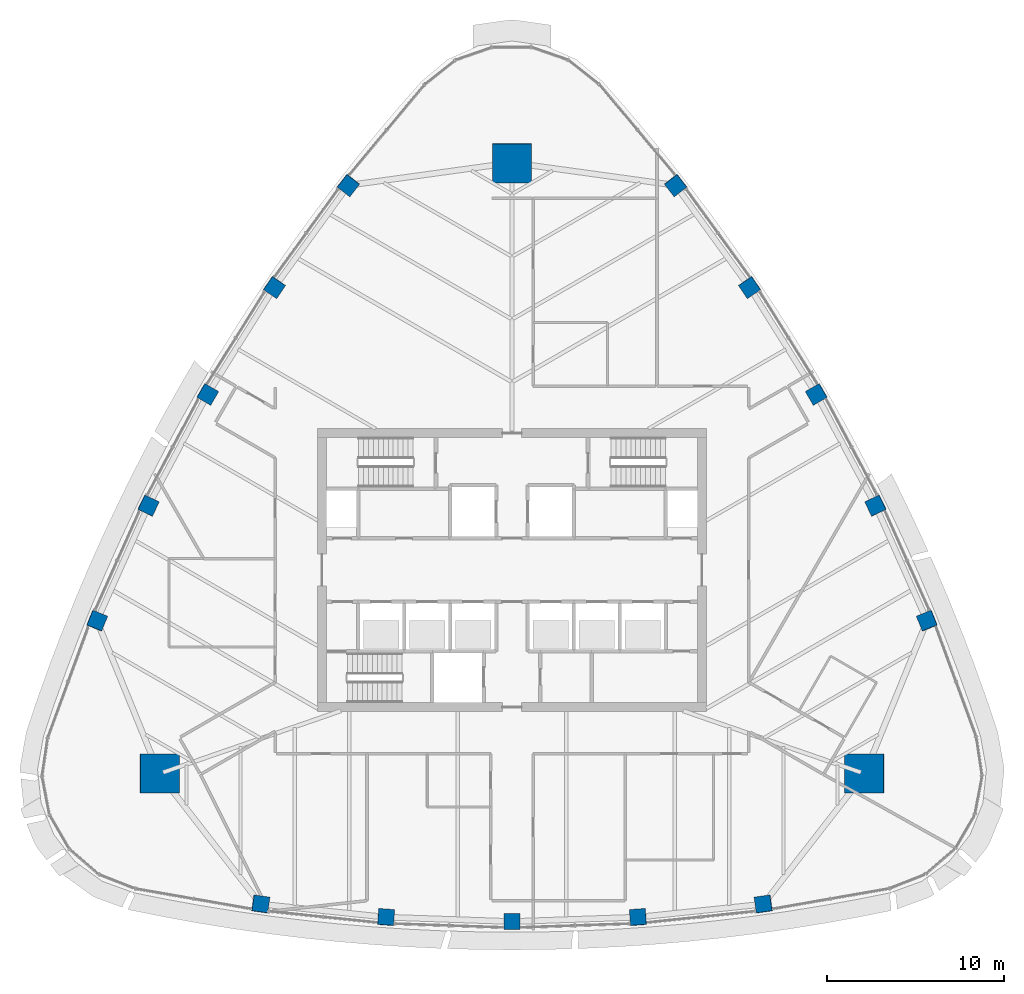
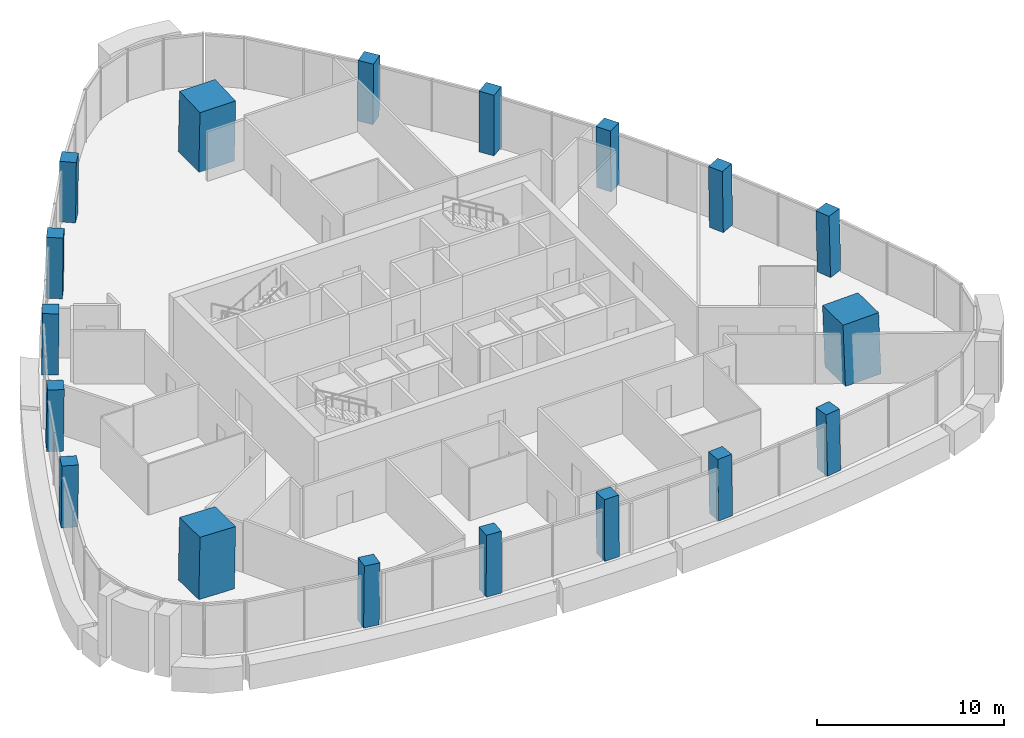
# One storey, part 1 of 15: 18 columns.
"""IFC4 building model written with IfcOpenShell, lengths in metres."""

from ifc_helpers import new_model, si_unit, direction, frame, origin, origin_2d, place, context, subcontext, project, spatial, rectangle, extrude, clip, halfspace, material, material_profile, profile_set, type_object, element, save


model = new_model("IFC4")

# Units and contexts
model_context = context("Model", 3, precision=1e-05, world=origin(), true_north=direction((0.0, 1.0)))
body_context = subcontext(model_context, "Body", "Model", "MODEL_VIEW")
ifc_project = project(units=[si_unit("LENGTHUNIT", "METRE"), si_unit("AREAUNIT", "SQUARE_METRE"), si_unit("VOLUMEUNIT", "CUBIC_METRE"), si_unit("PLANEANGLEUNIT", "RADIAN"), si_unit("MASSUNIT", "GRAM", prefix="KILO")], contexts=[model_context])

# Site, building, storey
site_placement = place(None, origin())
site = spatial("IfcSite", under=ifc_project, at=site_placement, CompositionType="ELEMENT")
building_placement = place(site_placement, origin())
building = spatial("IfcBuilding", under=site, at=building_placement, Name="Sierra Prisma Convention Tower", CompositionType="ELEMENT")
storey_placement = place(building_placement, frame((0.0, 0.0, 315.0)))
storey = spatial("IfcBuildingStorey", under=building, at=storey_placement, Name="L72", CompositionType="ELEMENT", Elevation=315.0)

# Columns
ifc_material_1 = material(Name="Concrete C50/60", Category="concrete")
ifc_material_profile_1 = material_profile(ifc_material_1, rectangle(XDim=2.199951171875, YDim=2.199951171875, at=origin_2d()), Name="Mega column RC 2200 C50/60")
ifc_profile_set_1 = profile_set([ifc_material_profile_1], Name="Concrete C50/60")
column_type_1 = type_object("IfcColumnType", Name="Mega column RC 2200 C50/60", PredefinedType="COLUMN", material=ifc_profile_set_1)
column_1_placement = place(storey_placement, frame((19.95654296875, -11.52197265625, 0.0), z_axis=(-0.027695790401, 0.015983033227, 0.999488612163), x_axis=(0.999616398022, 0.00044283261, 0.027692249912)))
element("IfcColumn", 1, at=column_1_placement, inside=storey, type_object=column_type_1, Name="Mega column SE L72", PredefinedType="COLUMN", context=body_context, shape_type="SweptSolid", body=[
    clip(extrude(rectangle(XDim=2.199951171875, YDim=2.199951171875, at=origin_2d()), origin(), (0.0, 0.0, 1.0), 4.001953125), halfspace(frame((0.0, 0.0, 3.99560546875)), False)),
])
column_2_placement = place(storey_placement, frame((0.0, 23.0439453125, 0.0), z_axis=(0.0, -0.031966077398, 0.999488954364), x_axis=(1.0, 0.0, 0.0)))
element("IfcColumn", 2, at=column_2_placement, inside=storey, type_object=column_type_1, Name="Mega column N L72", PredefinedType="COLUMN", context=body_context, shape_type="SweptSolid", body=[
    clip(extrude(rectangle(XDim=2.199951171875, YDim=2.199951171875, at=origin_2d()), origin(), (0.0, 0.0, 1.0), 4.001953125), halfspace(frame((0.0, 0.0, 3.9970703125)), False)),
])
column_3_placement = place(storey_placement, frame((-19.95654296875, -11.52197265625, 0.0), z_axis=(0.027695790401, 0.015983033227, 0.999488612163), x_axis=(0.999616398022, -0.00044283261, -0.027692249912)))
element("IfcColumn", 3, at=column_3_placement, inside=storey, type_object=column_type_1, Name="Mega column SW L72", PredefinedType="COLUMN", context=body_context, shape_type="SweptSolid", body=[
    clip(extrude(rectangle(XDim=2.199951171875, YDim=2.199951171875, at=origin_2d()), origin(), (0.0, 0.0, 1.0), 4.001953125), halfspace(frame((0.0, 0.0, 3.99560546875)), False)),
])
ifc_material_2 = material(Name="Concrete C50/60", Category="concrete")
ifc_material_profile_2 = material_profile(ifc_material_2, rectangle(XDim=0.89990234375, YDim=0.89990234375, at=origin_2d()), Name="Perimeter column RC 900 C50/60")
ifc_profile_set_2 = profile_set([ifc_material_profile_2], Name="Concrete C50/60")
column_type_2 = type_object("IfcColumnType", Name="Perimeter column RC 900 C50/60", PredefinedType="COLUMN", material=ifc_profile_set_2)
column_4_placement = place(storey_placement, frame((-14.22314453125, -18.898681640625, 0.0), z_axis=(0.017391463473, 0.010312832726, 0.999795570344), x_axis=(-0.990322442734, 0.13788284729, 0.015804424743)))
element("IfcColumn", 4, at=column_4_placement, inside=storey, type_object=column_type_2, Name="Perimeter column S-1 L72", PredefinedType="COLUMN", context=body_context, shape_type="SweptSolid", body=[
    clip(extrude(rectangle(XDim=0.89990234375, YDim=0.89990234375, at=origin_2d()), origin(), (0.0, 0.0, 1.0), 4.000732421875), halfspace(frame((0.0, 0.0, 3.998779296875)), False)),
])
column_5_placement = place(storey_placement, frame((-7.128662109375, -19.63671875, 0.0), z_axis=(0.008727144629, 0.01122933295, 0.9998988644), x_axis=(-0.997577286368, 0.069113396853, 0.007930705989)))
element("IfcColumn", 5, at=column_5_placement, inside=storey, type_object=column_type_2, Name="Perimeter column S-2 L72", PredefinedType="COLUMN", context=body_context, shape_type="SweptSolid", body=[
    clip(extrude(rectangle(XDim=0.89990234375, YDim=0.89990234375, at=origin_2d()), origin(), (0.0, 0.0, 1.0), 4.00048828125), halfspace(frame((0.0, 0.0, 3.9990234375)), False)),
])
column_6_placement = place(storey_placement, frame((0.0, -19.8828125, 0.0), z_axis=(0.0, 0.01141283087, 0.999934871525), x_axis=(1.0, 0.0, 0.0)))
element("IfcColumn", 6, at=column_6_placement, inside=storey, type_object=column_type_2, Name="Perimeter column S-3 L72", PredefinedType="COLUMN", context=body_context, shape_type="SweptSolid", body=[
    clip(extrude(rectangle(XDim=0.89990234375, YDim=0.89990234375, at=origin_2d()), origin(), (0.0, 0.0, 1.0), 4.000244140625), halfspace(frame((0.0, 0.0, 3.999267578125)), False)),
])
column_7_placement = place(storey_placement, frame((7.128662109375, -19.63671875, 0.0), z_axis=(-0.008727144629, 0.01122933295, 0.9998988644), x_axis=(0.997577286368, 0.069113396853, 0.007930705989)))
element("IfcColumn", 7, at=column_7_placement, inside=storey, type_object=column_type_2, Name="Perimeter column S-4 L72", PredefinedType="COLUMN", context=body_context, shape_type="SweptSolid", body=[
    clip(extrude(rectangle(XDim=0.89990234375, YDim=0.89990234375, at=origin_2d()), origin(), (0.0, 0.0, 1.0), 4.00048828125), halfspace(frame((0.0, 0.0, 3.9990234375)), False)),
])
for number, where, z_axis, x_axis, name in (
    (8, (14.22314453125, -18.898681640625, 0.0), (-0.017391463473, 0.010312832726, 0.999795570344), (0.990322442734, 0.13788284729, 0.015804424743), "Perimeter column S-5 L72"),
    (9, (23.478515625, -2.8681640625, 0.0), (-0.017696558482, 0.009885663704, 0.999794531627), (-0.375914723165, 0.926519298073, -0.015814904541), "Perimeter column NE-1 L72"),
):
    element("IfcColumn", number, at=place(storey_placement, frame(where, z_axis=z_axis, x_axis=x_axis)), inside=storey, type_object=column_type_2, Name=name, PredefinedType="COLUMN", context=body_context, shape_type="SweptSolid", body=[
        clip(extrude(rectangle(XDim=0.89990234375, YDim=0.89990234375, at=origin_2d()), origin(), (0.0, 0.0, 1.0), 4.000732421875), halfspace(frame((0.0, 0.0, 3.998779296875)), False)),
    ])
column_8_placement = place(storey_placement, frame((20.570068359375, 3.644775390625, 0.0), z_axis=(-0.014036676147, 0.001952928855, 0.999899573853), x_axis=(-0.438991330539, 0.898456413276, -0.007917395706)))
element("IfcColumn", 10, at=column_8_placement, inside=storey, type_object=column_type_2, Name="Perimeter column NE-2 L72", PredefinedType="COLUMN", context=body_context, shape_type="SweptSolid", body=[
    clip(extrude(rectangle(XDim=0.89990234375, YDim=0.89990234375, at=origin_2d()), origin(), (0.0, 0.0, 1.0), 4.00048828125), halfspace(frame((0.0, 0.0, 3.9990234375)), False)),
])
column_9_placement = place(storey_placement, frame((17.218994140625, 9.94140625, 0.0), z_axis=(-0.009887052741, -0.005675900648, 0.999935013058), x_axis=(-0.49997556095, 0.866039512773, -2.7732311e-05)))
element("IfcColumn", 11, at=column_9_placement, inside=storey, type_object=column_type_2, Name="Perimeter column NE-3 L72", PredefinedType="COLUMN", context=body_context, shape_type="SweptSolid", body=[
    clip(extrude(rectangle(XDim=0.89990234375, YDim=0.89990234375, at=origin_2d()), origin(), (0.0, 0.0, 1.0), 4.000244140625), halfspace(frame((0.0, 0.0, 3.999267578125)), False)),
])
column_10_placement = place(storey_placement, frame((13.44140625, 15.99169921875, 0.0), z_axis=(-0.00524849926, -0.01312124815, 0.999900138065), x_axis=(-0.558573000428, 0.829417245469, 0.007952113632)))
element("IfcColumn", 12, at=column_10_placement, inside=storey, type_object=column_type_2, Name="Perimeter column NE-4 L72", PredefinedType="COLUMN", context=body_context, shape_type="SweptSolid", body=[
    clip(extrude(rectangle(XDim=0.89990234375, YDim=0.89990234375, at=origin_2d()), origin(), (0.0, 0.0, 1.0), 4.00048828125), halfspace(frame((0.0, 0.0, 3.9990234375)), False)),
])
for number, where, z_axis, x_axis, name in (
    (13, (9.25537109375, 21.76708984375, 0.0), (-0.000305112753, -0.020320509381, 0.999793470575), (-0.614498616803, 0.788758787703, 0.015843761183), "Perimeter column NE-5 L72"),
    (14, (-9.25537109375, 21.76708984375, 0.0), (0.000305112753, -0.020320509381, 0.999793470575), (0.614498616803, 0.788758787703, 0.015843761183), "Perimeter column NW-1 L72"),
):
    element("IfcColumn", number, at=place(storey_placement, frame(where, z_axis=z_axis, x_axis=x_axis)), inside=storey, type_object=column_type_2, Name=name, PredefinedType="COLUMN", context=body_context, shape_type="SweptSolid", body=[
        clip(extrude(rectangle(XDim=0.89990234375, YDim=0.89990234375, at=origin_2d()), origin(), (0.0, 0.0, 1.0), 4.000732421875), halfspace(frame((0.0, 0.0, 3.998779296875)), False)),
    ])
column_11_placement = place(storey_placement, frame((-13.44140625, 15.99169921875, 0.0), z_axis=(0.00524849926, -0.01312124815, 0.999900138065), x_axis=(0.558573000428, 0.829417245469, 0.007952113632)))
element("IfcColumn", 15, at=column_11_placement, inside=storey, type_object=column_type_2, Name="Perimeter column NW-2 L72", PredefinedType="COLUMN", context=body_context, shape_type="SweptSolid", body=[
    clip(extrude(rectangle(XDim=0.89990234375, YDim=0.89990234375, at=origin_2d()), origin(), (0.0, 0.0, 1.0), 4.00048828125), halfspace(frame((0.0, 0.0, 3.9990234375)), False)),
])
column_12_placement = place(storey_placement, frame((-17.218994140625, 9.94140625, 0.0), z_axis=(0.009887052741, -0.005675900648, 0.999935013058), x_axis=(0.49997556095, 0.866039512773, -2.7732311e-05)))
element("IfcColumn", 16, at=column_12_placement, inside=storey, type_object=column_type_2, Name="Perimeter column NW-3 L72", PredefinedType="COLUMN", context=body_context, shape_type="SweptSolid", body=[
    clip(extrude(rectangle(XDim=0.89990234375, YDim=0.89990234375, at=origin_2d()), origin(), (0.0, 0.0, 1.0), 4.000244140625), halfspace(frame((0.0, 0.0, 3.999267578125)), False)),
])
column_13_placement = place(storey_placement, frame((-20.570068359375, 3.644775390625, 0.0), z_axis=(0.014036676147, 0.001952928855, 0.999899573853), x_axis=(0.438991330539, 0.898456413276, -0.007917395706)))
element("IfcColumn", 17, at=column_13_placement, inside=storey, type_object=column_type_2, Name="Perimeter column NW-4 L72", PredefinedType="COLUMN", context=body_context, shape_type="SweptSolid", body=[
    clip(extrude(rectangle(XDim=0.89990234375, YDim=0.89990234375, at=origin_2d()), origin(), (0.0, 0.0, 1.0), 4.00048828125), halfspace(frame((0.0, 0.0, 3.9990234375)), False)),
])
column_14_placement = place(storey_placement, frame((-23.478515625, -2.8681640625, 0.0), z_axis=(0.017696558482, 0.009885663704, 0.999794531627), x_axis=(0.375914723165, 0.926519298073, -0.015814904541)))
element("IfcColumn", 18, at=column_14_placement, inside=storey, type_object=column_type_2, Name="Perimeter column NW-5 L72", PredefinedType="COLUMN", context=body_context, shape_type="SweptSolid", body=[
    clip(extrude(rectangle(XDim=0.89990234375, YDim=0.89990234375, at=origin_2d()), origin(), (0.0, 0.0, 1.0), 4.000732421875), halfspace(frame((0.0, 0.0, 3.998779296875)), False)),
])

save(model, "model.ifc")
